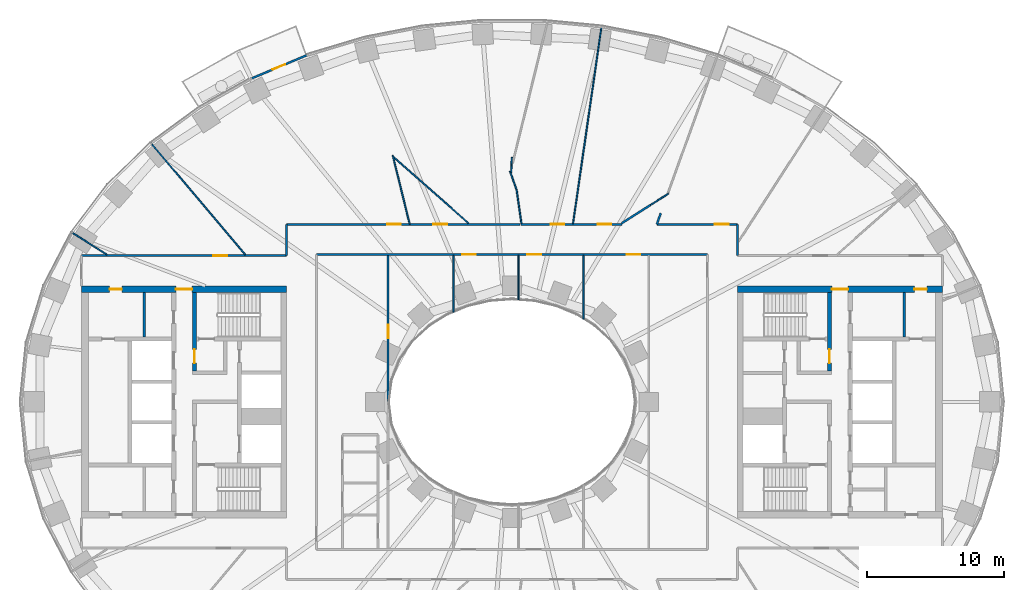
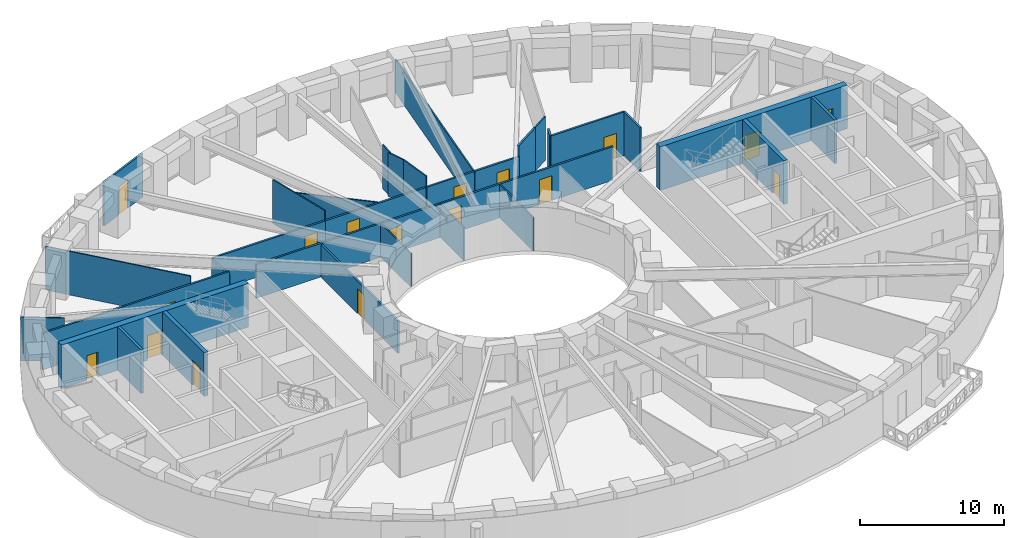
# One storey, part 6 of 15: 31 walls, 17 doors, 17 openings.
"""IFC4 building model written with IfcOpenShell, lengths in metres."""

from ifc_helpers import new_model, si_unit, direction, frame, frame_2d, origin, place, context, subcontext, project, spatial, rectangle, extrude, material, layer, layer_set, type_object, element, fill, save


model = new_model("IFC4")

# Units and contexts
model_context = context("Model", 3, precision=1e-05, world=origin(), true_north=direction((0.0, 1.0)))
body_context = subcontext(model_context, "Body", "Model", "MODEL_VIEW")
ifc_project = project(units=[si_unit("LENGTHUNIT", "METRE"), si_unit("AREAUNIT", "SQUARE_METRE"), si_unit("VOLUMEUNIT", "CUBIC_METRE"), si_unit("PLANEANGLEUNIT", "RADIAN"), si_unit("MASSUNIT", "GRAM", prefix="KILO")], contexts=[model_context])

# Site, building, storey
site_placement = place(None, origin())
site = spatial("IfcSite", under=ifc_project, at=site_placement, CompositionType="ELEMENT")
building_placement = place(site_placement, origin())
building = spatial("IfcBuilding", under=site, at=building_placement, Name="Noorbagh Ring Tower", CompositionType="ELEMENT")
storey_placement = place(building_placement, frame((0.0, 0.0, 38.5)))
storey = spatial("IfcBuildingStorey", under=building, at=storey_placement, Name="L07", CompositionType="ELEMENT", Elevation=38.5)

# Walls
ifc_material_1 = material(Name="Gypsum board on steel studs", Category="steel")
ifc_layer_1 = layer(ifc_material_1, 0.199951171875)
ifc_layer_set_1 = layer_set([ifc_layer_1], Name="Gypsum board on steel studs")
wall_type_1 = type_object("IfcWallType", Name="CORE-PARTITION-200", PredefinedType="PARTITIONING", material=ifc_layer_set_1)
for number, where, z_axis, x_axis, name in (
    (1, (-26.89990234375, 4.75, 0.0), (0.0, 0.0, 1.0), (0.0, 1.0, 0.0), "Core partition W"),
    (2, (28.699951171875, 4.75, 0.0), (0.0, 0.0, 1.0), (0.0, 1.0, 0.0), "Core partition E"),
):
    element("IfcWall", number, at=place(storey_placement, frame(where, z_axis=z_axis, x_axis=x_axis)), inside=storey, type_object=wall_type_1, Name=name, PredefinedType="PARTITIONING", context=body_context, shape_type="SweptSolid", body=[
        extrude(rectangle(XDim=3.25, YDim=0.199951171875, at=frame_2d((1.625, 0.0))), origin(), (0.0, 0.0, 1.0), 3.699951171875),
    ])

# Wall, opening, door
ifc_material_2 = material(Name="Concrete C70/85", Category="concrete")
ifc_layer_2 = layer(ifc_material_2, 0.300048828125)
ifc_layer_set_2 = layer_set([ifc_layer_2], Name="Concrete C70/85")
wall_type_2 = type_object("IfcWallType", Name="CORE-WALL-300-C70-85-EI240", PredefinedType="SHEAR", material=ifc_layer_set_2)
wall_1_placement = place(storey_placement, frame((-23.22998046875, 2.25, 0.0), z_axis=(0.0, 0.0, 1.0), x_axis=(0.0, 1.0, 0.0)))
wall_1 = element("IfcWall", 3, at=wall_1_placement, inside=storey, type_object=wall_type_2, Name="Core wall W", PredefinedType="SHEAR", context=body_context, shape_type="SweptSolid", body=[
    extrude(rectangle(XDim=5.75, YDim=0.300048828125, at=frame_2d((2.875, 0.0))), origin(), (0.0, 0.0, 1.0), 3.699951171875),
])
opening_1_placement = place(wall_1_placement, frame((0.60009765625, 0.0, 0.0)))
opening_1 = element("IfcOpeningElement", 4, at=opening_1_placement, cuts=wall_1, Name="Opening L07-CW08", PredefinedType="OPENING", context=body_context, shape_type="SweptSolid", body=[
    extrude(rectangle(XDim=1.0, YDim=2.10009765625, at=frame_2d((0.5, 1.050048828125))), frame((0.0, 0.16015625, 0.0), z_axis=(0.0, -1.0, 0.0), x_axis=(1.0, 0.0, 0.0)), (0.0, 0.0, 1.0), 0.320068359375),
])
ifc_material_3 = material(Name="Steel door leaf", Category="steel")
door_type_1 = type_object("IfcDoorType", Name="CORE-DOOR-DVEST", OperationType="SINGLE_SWING_LEFT", PredefinedType="DOOR", material=ifc_material_3)
door_1_placement = place(opening_1_placement, origin())
door_1 = element("IfcDoor", 5, at=door_1_placement, inside=storey, type_object=door_type_1, Name="Stair vestibule door L07-CW08", OperationType="SINGLE_SWING_LEFT", OverallHeight=2.10009765625, OverallWidth=1.0, PredefinedType="DOOR", context=body_context, shape_type="SweptSolid", body=[
    extrude(rectangle(XDim=1.0, YDim=2.10009765625, at=frame_2d((0.5, 1.050048828125))), frame((0.0, 0.02490234375, 0.0), z_axis=(0.0, -1.0, 0.0), x_axis=(1.0, 0.0, 0.0)), (0.0, 0.0, 1.0), 0.050048828125),
])
fill(opening_1, door_1)

wall_2_placement = place(storey_placement, frame((23.22998046875, 2.25, 0.0), z_axis=(0.0, 0.0, 1.0), x_axis=(0.0, 1.0, 0.0)))
wall_2 = element("IfcWall", 6, at=wall_2_placement, inside=storey, type_object=wall_type_2, Name="Core wall E", PredefinedType="SHEAR", context=body_context, shape_type="SweptSolid", body=[
    extrude(rectangle(XDim=5.75, YDim=0.300048828125, at=frame_2d((2.875, 0.0))), origin(), (0.0, 0.0, 1.0), 3.699951171875),
])
opening_2_placement = place(wall_2_placement, frame((0.60009765625, 0.0, 0.0)))
opening_2 = element("IfcOpeningElement", 7, at=opening_2_placement, cuts=wall_2, Name="Opening L07-CE08", PredefinedType="OPENING", context=body_context, shape_type="SweptSolid", body=[
    extrude(rectangle(XDim=1.0, YDim=2.10009765625, at=frame_2d((0.5, 1.050048828125))), frame((0.0, 0.16015625, 0.0), z_axis=(0.0, -1.0, 0.0), x_axis=(1.0, 0.0, 0.0)), (0.0, 0.0, 1.0), 0.320068359375),
])
door_2_placement = place(opening_2_placement, origin())
door_2 = element("IfcDoor", 8, at=door_2_placement, inside=storey, type_object=door_type_1, Name="Stair vestibule door L07-CE08", OperationType="SINGLE_SWING_RIGHT", OverallHeight=2.10009765625, OverallWidth=1.0, PredefinedType="DOOR", context=body_context, shape_type="SweptSolid", body=[
    extrude(rectangle(XDim=1.0, YDim=2.10009765625, at=frame_2d((0.5, 1.050048828125))), frame((0.0, 0.02490234375, 0.0), z_axis=(0.0, -1.0, 0.0), x_axis=(1.0, 0.0, 0.0)), (0.0, 0.0, 1.0), 0.050048828125),
])
fill(opening_2, door_2)

# Wall, openings, doors
ifc_material_4 = material(Name="Concrete C70/85", Category="concrete")
ifc_layer_3 = layer(ifc_material_4, 0.5)
ifc_layer_set_3 = layer_set([ifc_layer_3], Name="Concrete C70/85")
wall_type_3 = type_object("IfcWallType", Name="CORE-WALL-500-C70-85-EI240", PredefinedType="SHEAR", material=ifc_layer_set_3)
wall_3_placement = place(storey_placement, frame((-16.5, 8.25, 0.0), z_axis=(0.0, 0.0, 1.0), x_axis=(-1.0, 0.0, 0.0)))
wall_3 = element("IfcWall", 9, at=wall_3_placement, inside=storey, type_object=wall_type_3, Name="Core wall W", PredefinedType="SHEAR", context=body_context, shape_type="SweptSolid", body=[
    extrude(rectangle(XDim=15.0, YDim=0.5, at=frame_2d((7.5, 0.0))), origin(), (0.0, 0.0, 1.0), 3.699951171875),
])
opening_3_placement = place(wall_3_placement, frame((6.89990234375, 0.0, 0.0)))
opening_3 = element("IfcOpeningElement", 10, at=opening_3_placement, cuts=wall_3, Name="Opening L07-CW09", PredefinedType="OPENING", context=body_context, shape_type="SweptSolid", body=[
    extrude(rectangle(XDim=1.199951171875, YDim=2.10009765625, at=frame_2d((0.60009765625, 1.050048828125))), frame((0.0, 0.260009765625, 0.0), z_axis=(0.0, -1.0, 0.0), x_axis=(1.0, 0.0, 0.0)), (0.0, 0.0, 1.0), 0.52001953125),
])
opening_4_placement = place(wall_3_placement, frame((12.050048828125, 0.0, 0.0)))
opening_4 = element("IfcOpeningElement", 11, at=opening_4_placement, cuts=wall_3, Name="Opening L07-CW13", PredefinedType="OPENING", context=body_context, shape_type="SweptSolid", body=[
    extrude(rectangle(XDim=0.89990234375, YDim=2.10009765625, at=frame_2d((0.449951171875, 1.050048828125))), frame((0.0, 0.260009765625, 0.0), z_axis=(0.0, -1.0, 0.0), x_axis=(1.0, 0.0, 0.0)), (0.0, 0.0, 1.0), 0.52001953125),
])
ifc_material_5 = material(Name="Steel door leaf", Category="steel")
door_type_2 = type_object("IfcDoorType", Name="CORE-DOOR-DROOM", OperationType="SINGLE_SWING_LEFT", PredefinedType="DOOR", material=ifc_material_5)
door_3_placement = place(opening_4_placement, origin())
door_3 = element("IfcDoor", 12, at=door_3_placement, inside=storey, type_object=door_type_2, Name="Core room door L07-CW13", OperationType="SINGLE_SWING_RIGHT", OverallHeight=2.10009765625, OverallWidth=0.89990234375, PredefinedType="DOOR", context=body_context, shape_type="SweptSolid", body=[
    extrude(rectangle(XDim=0.89990234375, YDim=2.10009765625, at=frame_2d((0.449951171875, 1.050048828125))), frame((0.0, 0.02490234375, 0.0), z_axis=(0.0, -1.0, 0.0), x_axis=(1.0, 0.0, 0.0)), (0.0, 0.0, 1.0), 0.050048828125),
])
fill(opening_4, door_3)
ifc_material_6 = material(Name="Steel door leaf", Category="steel")
door_type_3 = type_object("IfcDoorType", Name="CORE-DOOR-PORT", OperationType="DOUBLE_DOOR_DOUBLE_SWING", PredefinedType="DOOR", material=ifc_material_6)
door_4_placement = place(opening_3_placement, origin())
door_4 = element("IfcDoor", 13, at=door_4_placement, inside=storey, type_object=door_type_3, Name="Core entrance door L07-CW09", OperationType="DOUBLE_DOOR_DOUBLE_SWING", OverallHeight=2.10009765625, OverallWidth=1.199951171875, PredefinedType="DOOR", context=body_context, shape_type="SweptSolid", body=[
    extrude(rectangle(XDim=1.199951171875, YDim=2.10009765625, at=frame_2d((0.60009765625, 1.050048828125))), frame((0.0, 0.02490234375, 0.0), z_axis=(0.0, -1.0, 0.0), x_axis=(1.0, 0.0, 0.0)), (0.0, 0.0, 1.0), 0.050048828125),
])
fill(opening_3, door_4)

wall_4_placement = place(storey_placement, frame((16.5, 8.25, 0.0), z_axis=(0.0, 0.0, 1.0), x_axis=(1.0, 0.0, 0.0)))
wall_4 = element("IfcWall", 14, at=wall_4_placement, inside=storey, type_object=wall_type_3, Name="Core wall E", PredefinedType="SHEAR", context=body_context, shape_type="SweptSolid", body=[
    extrude(rectangle(XDim=15.0, YDim=0.5, at=frame_2d((7.5, 0.0))), origin(), (0.0, 0.0, 1.0), 3.699951171875),
])
opening_5_placement = place(wall_4_placement, frame((6.89990234375, 0.0, 0.0)))
opening_5 = element("IfcOpeningElement", 15, at=opening_5_placement, cuts=wall_4, Name="Opening L07-CE09", PredefinedType="OPENING", context=body_context, shape_type="SweptSolid", body=[
    extrude(rectangle(XDim=1.199951171875, YDim=2.10009765625, at=frame_2d((0.60009765625, 1.050048828125))), frame((0.0, 0.260009765625, 0.0), z_axis=(0.0, -1.0, 0.0), x_axis=(1.0, 0.0, 0.0)), (0.0, 0.0, 1.0), 0.52001953125),
])
opening_6_placement = place(wall_4_placement, frame((12.949951171875, 0.0, 0.0)))
opening_6 = element("IfcOpeningElement", 16, at=opening_6_placement, cuts=wall_4, Name="Opening L07-CE14", PredefinedType="OPENING", context=body_context, shape_type="SweptSolid", body=[
    extrude(rectangle(XDim=0.89990234375, YDim=2.10009765625, at=frame_2d((0.449951171875, 1.050048828125))), frame((0.0, 0.260009765625, 0.0), z_axis=(0.0, -1.0, 0.0), x_axis=(1.0, 0.0, 0.0)), (0.0, 0.0, 1.0), 0.52001953125),
])
door_5_placement = place(opening_6_placement, origin())
door_5 = element("IfcDoor", 17, at=door_5_placement, inside=storey, type_object=door_type_2, Name="Core room door L07-CE14", OperationType="SINGLE_SWING_LEFT", OverallHeight=2.10009765625, OverallWidth=0.89990234375, PredefinedType="DOOR", context=body_context, shape_type="SweptSolid", body=[
    extrude(rectangle(XDim=0.89990234375, YDim=2.10009765625, at=frame_2d((0.449951171875, 1.050048828125))), frame((0.0, 0.02490234375, 0.0), z_axis=(0.0, -1.0, 0.0), x_axis=(1.0, 0.0, 0.0)), (0.0, 0.0, 1.0), 0.050048828125),
])
fill(opening_6, door_5)
door_6_placement = place(opening_5_placement, origin())
door_6 = element("IfcDoor", 18, at=door_6_placement, inside=storey, type_object=door_type_3, Name="Core entrance door L07-CE09", OperationType="DOUBLE_DOOR_DOUBLE_SWING", OverallHeight=2.10009765625, OverallWidth=1.199951171875, PredefinedType="DOOR", context=body_context, shape_type="SweptSolid", body=[
    extrude(rectangle(XDim=1.199951171875, YDim=2.10009765625, at=frame_2d((0.60009765625, 1.050048828125))), frame((0.0, 0.02490234375, 0.0), z_axis=(0.0, -1.0, 0.0), x_axis=(1.0, 0.0, 0.0)), (0.0, 0.0, 1.0), 0.050048828125),
])
fill(opening_5, door_6)

# Wall, opening, door
ifc_material_7 = material(Name="Gypsum board on steel studs", Category="steel")
ifc_layer_4 = layer(ifc_material_7, 0.14990234375)
ifc_layer_set_4 = layer_set([ifc_layer_4], Name="Gypsum board on steel studs")
wall_type_4 = type_object("IfcWallType", Name="CORRIDOR PARTITION 150 EI 30", PredefinedType="PARTITIONING", material=ifc_layer_set_4)
wall_5_placement = place(storey_placement, frame((-31.5, 10.699951171875, 0.0), z_axis=(0.0, 0.0, 1.0), x_axis=(1.0, 0.0, 0.0)))
wall_5 = element("IfcWall", 19, at=wall_5_placement, inside=storey, type_object=wall_type_4, Name="L07/wall/P07", PredefinedType="PARTITIONING", context=body_context, shape_type="SweptSolid", body=[
    extrude(rectangle(XDim=15.0, YDim=0.14990234375, at=frame_2d((7.5, 0.0))), origin(), (0.0, 0.0, 1.0), 3.10009765625),
])
opening_7_placement = place(wall_5_placement, frame((9.655029296875, 0.0, 0.0)))
opening_7 = element("IfcOpeningElement", 20, at=opening_7_placement, cuts=wall_5, Name="Opening D1", PredefinedType="OPENING", context=body_context, shape_type="SweptSolid", body=[
    extrude(rectangle(XDim=1.0, YDim=2.10009765625, at=frame_2d((0.5, 1.050048828125))), frame((0.0, 0.0849609375, 0.0), z_axis=(0.0, -1.0, 0.0), x_axis=(1.0, 0.0, 0.0)), (0.0, 0.0, 1.0), 0.169921875),
])
ifc_material_8 = material(Name="Timber, painted", Category="wood")
door_type_4 = type_object("IfcDoorType", Name="DOOR 1000 X 2100 FD30", OperationType="SINGLE_SWING_LEFT", PredefinedType="DOOR", material=ifc_material_8)
door_7_placement = place(opening_7_placement, origin())
door_7 = element("IfcDoor", 21, at=door_7_placement, inside=storey, type_object=door_type_4, Name="L07-D09", OperationType="SINGLE_SWING_LEFT", OverallHeight=2.10009765625, OverallWidth=1.0, PredefinedType="DOOR", context=body_context, shape_type="SweptSolid", body=[
    extrude(rectangle(XDim=1.0, YDim=2.10009765625, at=frame_2d((0.5, 1.050048828125))), frame((0.0, 0.02490234375, 0.0), z_axis=(0.0, -1.0, 0.0), x_axis=(1.0, 0.0, 0.0)), (0.0, 0.0, 1.0), 0.050048828125),
])
fill(opening_7, door_7)

# Wall
wall_6_placement = place(storey_placement, frame((-16.5, 10.699951171875, 0.0), z_axis=(0.0, 0.0, 1.0), x_axis=(0.0, 1.0, 0.0)))
element("IfcWall", 22, at=wall_6_placement, inside=storey, type_object=wall_type_4, Name="L07/wall/P12", PredefinedType="PARTITIONING", context=body_context, shape_type="SweptSolid", body=[
    extrude(rectangle(XDim=2.300048828125, YDim=0.14990234375, at=frame_2d((1.14990234375, 0.0))), origin(), (0.0, 0.0, 1.0), 2.75),
])

# Wall, opening, door
wall_7_placement = place(storey_placement, frame((-16.5, 13.0, 0.0), z_axis=(0.0, 0.0, 1.0), x_axis=(1.0, 0.0, 0.0)))
wall_7 = element("IfcWall", 23, at=wall_7_placement, inside=storey, type_object=wall_type_4, Name="L07/wall/P13", PredefinedType="PARTITIONING", context=body_context, shape_type="SweptSolid", body=[
    extrude(rectangle(XDim=9.0009765625, YDim=0.14990234375, at=frame_2d((4.50048828125, 0.0))), origin(), (0.0, 0.0, 1.0), 2.85009765625),
])
opening_8_placement = place(wall_7_placement, frame((7.366943359375, 0.0, 0.0)))
opening_8 = element("IfcOpeningElement", 24, at=opening_8_placement, cuts=wall_7, Name="Opening D1", PredefinedType="OPENING", context=body_context, shape_type="SweptSolid", body=[
    extrude(rectangle(XDim=1.0, YDim=2.10009765625, at=frame_2d((0.5, 1.050048828125))), frame((0.0, 0.0849609375, 0.0), z_axis=(0.0, -1.0, 0.0), x_axis=(1.0, 0.0, 0.0)), (0.0, 0.0, 1.0), 0.169921875),
])
door_8_placement = place(opening_8_placement, origin())
door_8 = element("IfcDoor", 25, at=door_8_placement, inside=storey, type_object=door_type_4, Name="L07-D11", OperationType="SINGLE_SWING_LEFT", OverallHeight=2.10009765625, OverallWidth=1.0, PredefinedType="DOOR", context=body_context, shape_type="SweptSolid", body=[
    extrude(rectangle(XDim=1.0, YDim=2.10009765625, at=frame_2d((0.5, 1.050048828125))), frame((0.0, 0.02490234375, 0.0), z_axis=(0.0, -1.0, 0.0), x_axis=(1.0, 0.0, 0.0)), (0.0, 0.0, 1.0), 0.050048828125),
])
fill(opening_8, door_8)

# Wall, openings, doors
wall_8_placement = place(storey_placement, frame((-14.300048828125, 10.800048828125, 0.0), z_axis=(0.0, 0.0, 1.0), x_axis=(1.0, 0.0, 0.0)))
wall_8 = element("IfcWall", 26, at=wall_8_placement, inside=storey, type_object=wall_type_4, Name="L07/wall/P16", PredefinedType="PARTITIONING", context=body_context, shape_type="SweptSolid", body=[
    extrude(rectangle(XDim=28.60009765625, YDim=0.14990234375, at=frame_2d((14.300048828125, 0.0))), origin(), (0.0, 0.0, 1.0), 2.85009765625),
])
opening_9_placement = place(wall_8_placement, frame((10.659912109375, 0.0, 0.0)))
opening_9 = element("IfcOpeningElement", 27, at=opening_9_placement, cuts=wall_8, Name="Opening D1", PredefinedType="OPENING", context=body_context, shape_type="SweptSolid", body=[
    extrude(rectangle(XDim=1.0, YDim=2.10009765625, at=frame_2d((0.5, 1.050048828125))), frame((0.0, 0.0849609375, 0.0), z_axis=(0.0, -1.0, 0.0), x_axis=(1.0, 0.0, 0.0)), (0.0, 0.0, 1.0), 0.169921875),
])
opening_10_placement = place(wall_8_placement, frame((15.427001953125, 0.0, 0.0)))
opening_10 = element("IfcOpeningElement", 28, at=opening_10_placement, cuts=wall_8, Name="Opening D1", PredefinedType="OPENING", context=body_context, shape_type="SweptSolid", body=[
    extrude(rectangle(XDim=1.0, YDim=2.10009765625, at=frame_2d((0.5, 1.050048828125))), frame((0.0, 0.0849609375, 0.0), z_axis=(0.0, -1.0, 0.0), x_axis=(1.0, 0.0, 0.0)), (0.0, 0.0, 1.0), 0.169921875),
])
opening_11_placement = place(wall_8_placement, frame((22.693115234375, 0.0, 0.0)))
opening_11 = element("IfcOpeningElement", 29, at=opening_11_placement, cuts=wall_8, Name="Opening D1", PredefinedType="OPENING", context=body_context, shape_type="SweptSolid", body=[
    extrude(rectangle(XDim=1.0, YDim=2.10009765625, at=frame_2d((0.5, 1.050048828125))), frame((0.0, 0.0849609375, 0.0), z_axis=(0.0, -1.0, 0.0), x_axis=(1.0, 0.0, 0.0)), (0.0, 0.0, 1.0), 0.169921875),
])
door_9_placement = place(opening_9_placement, origin())
door_9 = element("IfcDoor", 30, at=door_9_placement, inside=storey, type_object=door_type_4, Name="L07-D27", OperationType="SINGLE_SWING_LEFT", OverallHeight=2.10009765625, OverallWidth=1.0, PredefinedType="DOOR", context=body_context, shape_type="SweptSolid", body=[
    extrude(rectangle(XDim=1.0, YDim=2.10009765625, at=frame_2d((0.5, 1.050048828125))), frame((0.0, 0.02490234375, 0.0), z_axis=(0.0, -1.0, 0.0), x_axis=(1.0, 0.0, 0.0)), (0.0, 0.0, 1.0), 0.050048828125),
])
fill(opening_9, door_9)
door_10_placement = place(opening_10_placement, origin())
door_10 = element("IfcDoor", 31, at=door_10_placement, inside=storey, type_object=door_type_4, Name="L07-D29", OperationType="SINGLE_SWING_LEFT", OverallHeight=2.10009765625, OverallWidth=1.0, PredefinedType="DOOR", context=body_context, shape_type="SweptSolid", body=[
    extrude(rectangle(XDim=1.0, YDim=2.10009765625, at=frame_2d((0.5, 1.050048828125))), frame((0.0, 0.02490234375, 0.0), z_axis=(0.0, -1.0, 0.0), x_axis=(1.0, 0.0, 0.0)), (0.0, 0.0, 1.0), 0.050048828125),
])
fill(opening_10, door_10)
door_11_placement = place(opening_11_placement, origin())
door_11 = element("IfcDoor", 32, at=door_11_placement, inside=storey, type_object=door_type_4, Name="L07-D30", OperationType="SINGLE_SWING_RIGHT", OverallHeight=2.10009765625, OverallWidth=1.0, PredefinedType="DOOR", context=body_context, shape_type="SweptSolid", body=[
    extrude(rectangle(XDim=1.0, YDim=2.10009765625, at=frame_2d((0.5, 1.050048828125))), frame((0.0, 0.02490234375, 0.0), z_axis=(0.0, -1.0, 0.0), x_axis=(1.0, 0.0, 0.0)), (0.0, 0.0, 1.0), 0.050048828125),
])
fill(opening_11, door_11)

# Wall, opening, door
wall_9_placement = place(storey_placement, frame((-9.056884765625, 0.044921875, 0.0), z_axis=(0.0, 0.0, 1.0), x_axis=(0.0, 1.0, 0.0)))
wall_9 = element("IfcWall", 33, at=wall_9_placement, inside=storey, type_object=wall_type_4, Name="L07/wall/P26", PredefinedType="PARTITIONING", context=body_context, shape_type="SweptSolid", body=[
    extrude(rectangle(XDim=10.68017578125, YDim=0.14990234375, at=frame_2d((5.340087890625, 0.0))), origin(), (0.0, 0.0, 1.0), 2.75),
])
opening_12_placement = place(wall_9_placement, frame((4.610107421875, 0.0, 0.0)))
opening_12 = element("IfcOpeningElement", 34, at=opening_12_placement, cuts=wall_9, Name="Opening D1", PredefinedType="OPENING", context=body_context, shape_type="SweptSolid", body=[
    extrude(rectangle(XDim=1.0, YDim=2.10009765625, at=frame_2d((0.5, 1.050048828125))), frame((0.0, 0.0849609375, 0.0), z_axis=(0.0, -1.0, 0.0), x_axis=(1.0, 0.0, 0.0)), (0.0, 0.0, 1.0), 0.169921875),
])
door_12_placement = place(opening_12_placement, origin())
door_12 = element("IfcDoor", 35, at=door_12_placement, inside=storey, type_object=door_type_4, Name="L07-D25", OperationType="SINGLE_SWING_LEFT", OverallHeight=2.10009765625, OverallWidth=1.0, PredefinedType="DOOR", context=body_context, shape_type="SweptSolid", body=[
    extrude(rectangle(XDim=1.0, YDim=2.10009765625, at=frame_2d((0.5, 1.050048828125))), frame((0.0, 0.02490234375, 0.0), z_axis=(0.0, -1.0, 0.0), x_axis=(1.0, 0.0, 0.0)), (0.0, 0.0, 1.0), 0.050048828125),
])
fill(opening_12, door_12)

wall_10_placement = place(storey_placement, frame((-7.48291015625, 13.0, 0.0), z_axis=(0.0, 0.0, 1.0), x_axis=(1.0, 0.0, 0.0)))
wall_10 = element("IfcWall", 36, at=wall_10_placement, inside=storey, type_object=wall_type_4, Name="L07/wall/P32", PredefinedType="PARTITIONING", context=body_context, shape_type="SweptSolid", body=[
    extrude(rectangle(XDim=8.051025390625, YDim=0.14990234375, at=frame_2d((4.025390625, 0.0))), origin(), (0.0, 0.0, 1.0), 2.85009765625),
])
opening_13_placement = place(wall_10_placement, frame((1.73388671875, 0.0, 0.0)))
opening_13 = element("IfcOpeningElement", 37, at=opening_13_placement, cuts=wall_10, Name="Opening D1", PredefinedType="OPENING", context=body_context, shape_type="SweptSolid", body=[
    extrude(rectangle(XDim=1.0, YDim=2.10009765625, at=frame_2d((0.5, 1.050048828125))), frame((0.0, 0.0849609375, 0.0), z_axis=(0.0, -1.0, 0.0), x_axis=(1.0, 0.0, 0.0)), (0.0, 0.0, 1.0), 0.169921875),
])
door_13_placement = place(opening_13_placement, origin())
door_13 = element("IfcDoor", 38, at=door_13_placement, inside=storey, type_object=door_type_4, Name="L07-D13", OperationType="SINGLE_SWING_LEFT", OverallHeight=2.10009765625, OverallWidth=1.0, PredefinedType="DOOR", context=body_context, shape_type="SweptSolid", body=[
    extrude(rectangle(XDim=1.0, YDim=2.10009765625, at=frame_2d((0.5, 1.050048828125))), frame((0.0, 0.02490234375, 0.0), z_axis=(0.0, -1.0, 0.0), x_axis=(1.0, 0.0, 0.0)), (0.0, 0.0, 1.0), 0.050048828125),
])
fill(opening_13, door_13)

wall_11_placement = place(storey_placement, frame((0.64306640625, 13.0, 0.0), z_axis=(0.0, 0.0, 1.0), x_axis=(1.0, 0.0, 0.0)))
wall_11 = element("IfcWall", 39, at=wall_11_placement, inside=storey, type_object=wall_type_4, Name="L07/wall/P46", PredefinedType="PARTITIONING", context=body_context, shape_type="SweptSolid", body=[
    extrude(rectangle(XDim=3.81591796875, YDim=0.14990234375, at=frame_2d((1.907958984375, 0.0))), origin(), (0.0, 0.0, 1.0), 2.85009765625),
])
opening_14_placement = place(wall_11_placement, frame((2.18603515625, 0.0, 0.0)))
opening_14 = element("IfcOpeningElement", 40, at=opening_14_placement, cuts=wall_11, Name="Opening D1", PredefinedType="OPENING", context=body_context, shape_type="SweptSolid", body=[
    extrude(rectangle(XDim=1.0, YDim=2.10009765625, at=frame_2d((0.5, 1.050048828125))), frame((0.0, 0.0849609375, 0.0), z_axis=(0.0, -1.0, 0.0), x_axis=(1.0, 0.0, 0.0)), (0.0, 0.0, 1.0), 0.169921875),
])
door_14_placement = place(opening_14_placement, origin())
door_14 = element("IfcDoor", 41, at=door_14_placement, inside=storey, type_object=door_type_4, Name="L07-D15", OperationType="SINGLE_SWING_LEFT", OverallHeight=2.10009765625, OverallWidth=1.0, PredefinedType="DOOR", context=body_context, shape_type="SweptSolid", body=[
    extrude(rectangle(XDim=1.0, YDim=2.10009765625, at=frame_2d((0.5, 1.050048828125))), frame((0.0, 0.02490234375, 0.0), z_axis=(0.0, -1.0, 0.0), x_axis=(1.0, 0.0, 0.0)), (0.0, 0.0, 1.0), 0.050048828125),
])
fill(opening_14, door_14)

wall_12_placement = place(storey_placement, frame((4.47900390625, 13.0, 0.0), z_axis=(0.0, 0.0, 1.0), x_axis=(1.0, 0.0, 0.0)))
wall_12 = element("IfcWall", 42, at=wall_12_placement, inside=storey, type_object=wall_type_4, Name="L07/wall/P50", PredefinedType="PARTITIONING", context=body_context, shape_type="SweptSolid", body=[
    extrude(rectangle(XDim=3.568115234375, YDim=0.14990234375, at=frame_2d((1.7841796875, 0.0))), origin(), (0.0, 0.0, 1.0), 2.85009765625),
])
opening_15_placement = place(wall_12_placement, frame((1.778076171875, 0.0, 0.0)))
opening_15 = element("IfcOpeningElement", 43, at=opening_15_placement, cuts=wall_12, Name="Opening D1", PredefinedType="OPENING", context=body_context, shape_type="SweptSolid", body=[
    extrude(rectangle(XDim=1.0, YDim=2.10009765625, at=frame_2d((0.5, 1.050048828125))), frame((0.0, 0.0849609375, 0.0), z_axis=(0.0, -1.0, 0.0), x_axis=(1.0, 0.0, 0.0)), (0.0, 0.0, 1.0), 0.169921875),
])
door_15_placement = place(opening_15_placement, origin())
door_15 = element("IfcDoor", 44, at=door_15_placement, inside=storey, type_object=door_type_4, Name="L07-D17", OperationType="SINGLE_SWING_LEFT", OverallHeight=2.10009765625, OverallWidth=1.0, PredefinedType="DOOR", context=body_context, shape_type="SweptSolid", body=[
    extrude(rectangle(XDim=1.0, YDim=2.10009765625, at=frame_2d((0.5, 1.050048828125))), frame((0.0, 0.02490234375, 0.0), z_axis=(0.0, -1.0, 0.0), x_axis=(1.0, 0.0, 0.0)), (0.0, 0.0, 1.0), 0.050048828125),
])
fill(opening_15, door_15)

# Walls
wall_13_placement = place(storey_placement, frame((8.028076171875, 13.076904296875, 0.0), z_axis=(0.0, 0.0, 1.0), x_axis=(0.844718865656, 0.53521027457, 0.0)))
element("IfcWall", 45, at=wall_13_placement, inside=storey, type_object=wall_type_4, Name="L07/wall/P55", PredefinedType="PARTITIONING", context=body_context, shape_type="SweptSolid", body=[
    extrude(rectangle(XDim=2.49658203125, YDim=0.14990234375, at=frame_2d((1.248291015625, 0.0))), origin(), (0.0, 0.0, 1.0), 3.699951171875),
])
wall_14_placement = place(storey_placement, frame((10.594970703125, 13.0, 0.0), z_axis=(0.0, 0.0, 1.0), x_axis=(0.338659506624, 0.940908995904, 0.0)))
element("IfcWall", 46, at=wall_14_placement, inside=storey, type_object=wall_type_4, Name="L07/wall/P60", PredefinedType="PARTITIONING", context=body_context, shape_type="SweptSolid", body=[
    extrude(rectangle(XDim=0.864990234375, YDim=0.14990234375, at=frame_2d((0.4326171875, 0.0))), origin(), (0.0, 0.0, 1.0), 3.699951171875),
])

# Wall, opening, door
wall_15_placement = place(storey_placement, frame((10.60693359375, 13.0, 0.0), z_axis=(0.0, 0.0, 1.0), x_axis=(1.0, 0.0, 0.0)))
wall_15 = element("IfcWall", 47, at=wall_15_placement, inside=storey, type_object=wall_type_4, Name="L07/wall/P62", PredefinedType="PARTITIONING", context=body_context, shape_type="SweptSolid", body=[
    extrude(rectangle(XDim=5.89306640625, YDim=0.14990234375, at=frame_2d((2.946533203125, 0.0))), origin(), (0.0, 0.0, 1.0), 3.699951171875),
])
opening_16_placement = place(wall_15_placement, frame((4.242919921875, 0.0, 0.0)))
opening_16 = element("IfcOpeningElement", 48, at=opening_16_placement, cuts=wall_15, Name="Opening D1", PredefinedType="OPENING", context=body_context, shape_type="SweptSolid", body=[
    extrude(rectangle(XDim=1.0, YDim=2.10009765625, at=frame_2d((0.5, 1.050048828125))), frame((0.0, 0.0849609375, 0.0), z_axis=(0.0, -1.0, 0.0), x_axis=(1.0, 0.0, 0.0)), (0.0, 0.0, 1.0), 0.169921875),
])
door_16_placement = place(opening_16_placement, origin())
door_16 = element("IfcDoor", 49, at=door_16_placement, inside=storey, type_object=door_type_4, Name="L07-D19", OperationType="SINGLE_SWING_LEFT", OverallHeight=2.10009765625, OverallWidth=1.0, PredefinedType="DOOR", context=body_context, shape_type="SweptSolid", body=[
    extrude(rectangle(XDim=1.0, YDim=2.10009765625, at=frame_2d((0.5, 1.050048828125))), frame((0.0, 0.02490234375, 0.0), z_axis=(0.0, -1.0, 0.0), x_axis=(1.0, 0.0, 0.0)), (0.0, 0.0, 1.0), 0.050048828125),
])
fill(opening_16, door_16)

# Wall
wall_16_placement = place(storey_placement, frame((16.5, 10.699951171875, 0.0), z_axis=(0.0, 0.0, 1.0), x_axis=(0.0, 1.0, 0.0)))
element("IfcWall", 50, at=wall_16_placement, inside=storey, type_object=wall_type_4, Name="L07/wall/P69", PredefinedType="PARTITIONING", context=body_context, shape_type="SweptSolid", body=[
    extrude(rectangle(XDim=2.300048828125, YDim=0.14990234375, at=frame_2d((1.14990234375, 0.0))), origin(), (0.0, 0.0, 1.0), 3.699951171875),
])

# Wall, opening, door
ifc_material_9 = material(Name="Insulated aluminium clad panel", Category="aluminium")
ifc_layer_5 = layer(ifc_material_9, 0.14990234375)
ifc_layer_set_5 = layer_set([ifc_layer_5], Name="Insulated aluminium clad panel")
wall_type_5 = type_object("IfcWallType", Name="ENV-WALL-DOOR", PredefinedType="STANDARD", material=ifc_layer_set_5)
wall_17_placement = place(storey_placement, frame((-15.017822265625, 25.368896484375, 0.0), z_axis=(0.0, 0.0, 1.0), x_axis=(-0.921816985161, -0.387625393736, 0.0)))
wall_17 = element("IfcWall", 51, at=wall_17_placement, inside=storey, type_object=wall_type_5, Name="Balcony door wall chord 16", PredefinedType="STANDARD", context=body_context, shape_type="SweptSolid", body=[
    extrude(rectangle(XDim=4.42578125, YDim=0.14990234375, at=frame_2d((2.212890625, 0.0))), origin(), (0.0, 0.0, 1.0), 3.699951171875),
])
opening_17_placement = place(wall_17_placement, frame((1.712890625, 0.0, 0.0)))
opening_17 = element("IfcOpeningElement", 52, at=opening_17_placement, cuts=wall_17, Name="Opening D-BL", PredefinedType="OPENING", context=body_context, shape_type="SweptSolid", body=[
    extrude(rectangle(XDim=1.0, YDim=2.39990234375, at=frame_2d((0.5, 1.199951171875))), frame((0.0, 0.0849609375, 0.0), z_axis=(0.0, -1.0, 0.0), x_axis=(1.0, 0.0, 0.0)), (0.0, 0.0, 1.0), 0.169921875),
])
ifc_material_10 = material(Name="Aluminium and glass", Category="aluminium")
door_type_5 = type_object("IfcDoorType", Name="ENV-DOOR-BALCONY", OperationType="SINGLE_SWING_LEFT", PredefinedType="DOOR", material=ifc_material_10)
door_17_placement = place(opening_17_placement, origin())
door_17 = element("IfcDoor", 53, at=door_17_placement, inside=storey, type_object=door_type_5, Name="Balcony door chord 16", OperationType="SINGLE_SWING_RIGHT", OverallHeight=2.39990234375, OverallWidth=1.0, PredefinedType="DOOR", context=body_context, shape_type="SweptSolid", body=[
    extrude(rectangle(XDim=1.0, YDim=2.39990234375, at=frame_2d((0.5, 1.199951171875))), frame((0.0, 0.02490234375, 0.0), z_axis=(0.0, -1.0, 0.0), x_axis=(1.0, 0.0, 0.0)), (0.0, 0.0, 1.0), 0.050048828125),
])
fill(opening_17, door_17)

# Walls
ifc_material_11 = material(Name="Gypsum board on steel studs", Category="steel")
ifc_layer_6 = layer(ifc_material_11, 0.10009765625)
ifc_layer_set_6 = layer_set([ifc_layer_6], Name="Gypsum board on steel studs")
wall_type_6 = type_object("IfcWallType", Name="PARTITION 100 GYPSUM", PredefinedType="PARTITIONING", material=ifc_layer_set_6)
wall_18_placement = place(storey_placement, frame((-32.2119140625, 12.407958984375, 0.0), z_axis=(0.0, 0.0, 1.0), x_axis=(0.844810627195, -0.535065420467, 0.0)))
element("IfcWall", 54, at=wall_18_placement, inside=storey, type_object=wall_type_6, Name="L07/wall/P03", PredefinedType="PARTITIONING", context=body_context, shape_type="SweptSolid", body=[
    extrude(rectangle(XDim=3.0478515625, YDim=0.10009765625, at=frame_2d((1.52392578125, 0.0))), origin(), (0.0, 0.0, 1.0), 3.699951171875),
])
wall_19_placement = place(storey_placement, frame((-26.429931640625, 18.945068359375, 0.0), z_axis=(0.0, 0.0, 1.0), x_axis=(0.646400187952, -0.762998556365, 0.0)))
element("IfcWall", 55, at=wall_19_placement, inside=storey, type_object=wall_type_6, Name="L07/wall/P09", PredefinedType="PARTITIONING", context=body_context, shape_type="SweptSolid", body=[
    extrude(rectangle(XDim=10.703857421875, YDim=0.10009765625, at=frame_2d((5.35205078125, 0.0))), origin(), (0.0, 0.0, 1.0), 3.699951171875),
])
wall_20_placement = place(storey_placement, frame((-8.72900390625, 18.0458984375, 0.0), z_axis=(0.0, 0.0, 1.0), x_axis=(0.239749411988, -0.970834805439, 0.0)))
element("IfcWall", 56, at=wall_20_placement, inside=storey, type_object=wall_type_6, Name="L07/wall/P29", PredefinedType="PARTITIONING", context=body_context, shape_type="SweptSolid", body=[
    extrude(rectangle(XDim=5.197509765625, YDim=0.10009765625, at=frame_2d((2.5986328125, 0.0))), origin(), (0.0, 0.0, 1.0), 3.699951171875),
])
wall_21_placement = place(storey_placement, frame((-8.64208984375, 17.903076171875, 0.0), z_axis=(0.0, 0.0, 1.0), x_axis=(0.749027274438, -0.662539162728, 0.0)))
element("IfcWall", 57, at=wall_21_placement, inside=storey, type_object=wall_type_6, Name="L07/wall/P30", PredefinedType="PARTITIONING", context=body_context, shape_type="SweptSolid", body=[
    extrude(rectangle(XDim=7.282958984375, YDim=0.10009765625, at=frame_2d((3.6416015625, 0.0))), origin(), (0.0, 0.0, 1.0), 2.85009765625),
])
wall_22_placement = place(storey_placement, frame((-4.2900390625, 6.568115234375, 0.0), z_axis=(0.0, 0.0, 1.0), x_axis=(0.0, 1.0, 0.0)))
element("IfcWall", 58, at=wall_22_placement, inside=storey, type_object=wall_type_6, Name="L07/wall/P34", PredefinedType="PARTITIONING", context=body_context, shape_type="SweptSolid", body=[
    extrude(rectangle(XDim=4.156982421875, YDim=0.10009765625, at=frame_2d((2.07861328125, 0.0))), origin(), (0.0, 0.0, 1.0), 2.85009765625),
])
wall_23_placement = place(storey_placement, frame((-0.152099609375, 16.887939453125, 0.0), z_axis=(0.0, 0.0, 1.0), x_axis=(0.338272836404, -0.941048079617, 0.0)))
element("IfcWall", 59, at=wall_23_placement, inside=storey, type_object=wall_type_6, Name="L07/wall/P37", PredefinedType="PARTITIONING", context=body_context, shape_type="SweptSolid", body=[
    extrude(rectangle(XDim=1.4130859375, YDim=0.10009765625, at=frame_2d((0.70654296875, 0.0))), origin(), (0.0, 0.0, 1.0), 3.699951171875),
])
wall_24_placement = place(storey_placement, frame((-0.06201171875, 16.7890625, 0.0), z_axis=(0.0, 0.0, 1.0), x_axis=(0.045715238231, 0.998954511974, 0.0)))
element("IfcWall", 60, at=wall_24_placement, inside=storey, type_object=wall_type_6, Name="L07/wall/P40", PredefinedType="PARTITIONING", context=body_context, shape_type="SweptSolid", body=[
    extrude(rectangle(XDim=1.1162109375, YDim=0.10009765625, at=frame_2d((0.55810546875, 0.0))), origin(), (0.0, 0.0, 1.0), 3.699951171875),
])
wall_25_placement = place(storey_placement, frame((0.3330078125, 15.5390625, 0.0), z_axis=(0.0, 0.0, 1.0), x_axis=(0.143115891067, -0.989705936996, 0.0)))
element("IfcWall", 61, at=wall_25_placement, inside=storey, type_object=wall_type_6, Name="L07/wall/P42", PredefinedType="PARTITIONING", context=body_context, shape_type="SweptSolid", body=[
    extrude(rectangle(XDim=2.500732421875, YDim=0.10009765625, at=frame_2d((1.25048828125, 0.0))), origin(), (0.0, 0.0, 1.0), 3.699951171875),
])
wall_26_placement = place(storey_placement, frame((0.47705078125, 7.468017578125, 0.0), z_axis=(0.0, 0.0, 1.0), x_axis=(0.0, 1.0, 0.0)))
element("IfcWall", 62, at=wall_26_placement, inside=storey, type_object=wall_type_6, Name="L07/wall/P44", PredefinedType="PARTITIONING", context=body_context, shape_type="SweptSolid", body=[
    extrude(rectangle(XDim=3.257080078125, YDim=0.10009765625, at=frame_2d((1.62841796875, 0.0))), origin(), (0.0, 0.0, 1.0), 2.85009765625),
])
wall_27_placement = place(storey_placement, frame((4.458984375, 13.00390625, 0.0), z_axis=(0.0, 0.0, 1.0), x_axis=(0.143087196312, 0.98971008596, 0.0)))
element("IfcWall", 63, at=wall_27_placement, inside=storey, type_object=wall_type_6, Name="L07/wall/P48", PredefinedType="PARTITIONING", context=body_context, shape_type="SweptSolid", body=[
    extrude(rectangle(XDim=14.627685546875, YDim=0.10009765625, at=frame_2d((7.31396484375, 0.0))), origin(), (0.0, 0.0, 1.0), 2.85009765625),
])
wall_28_placement = place(storey_placement, frame((5.242919921875, 6.05908203125, 0.0), z_axis=(0.0, 0.0, 1.0), x_axis=(0.0, 1.0, 0.0)))
element("IfcWall", 64, at=wall_28_placement, inside=storey, type_object=wall_type_6, Name="L07/wall/P52", PredefinedType="PARTITIONING", context=body_context, shape_type="SweptSolid", body=[
    extrude(rectangle(XDim=4.666015625, YDim=0.10009765625, at=frame_2d((2.3330078125, 0.0))), origin(), (0.0, 0.0, 1.0), 2.85009765625),
])
wall_29_placement = place(storey_placement, frame((10.136962890625, 14.4130859375, 0.0), z_axis=(0.0, 0.0, 1.0), x_axis=(0.844849680057, 0.535003755228, 0.0)))
element("IfcWall", 65, at=wall_29_placement, inside=storey, type_object=wall_type_6, Name="L07/wall/P58", PredefinedType="PARTITIONING", context=body_context, shape_type="SweptSolid", body=[
    extrude(rectangle(XDim=1.5625, YDim=0.10009765625, at=frame_2d((0.78125, 0.0))), origin(), (0.0, 0.0, 1.0), 3.699951171875),
])

save(model, "model.ifc")
